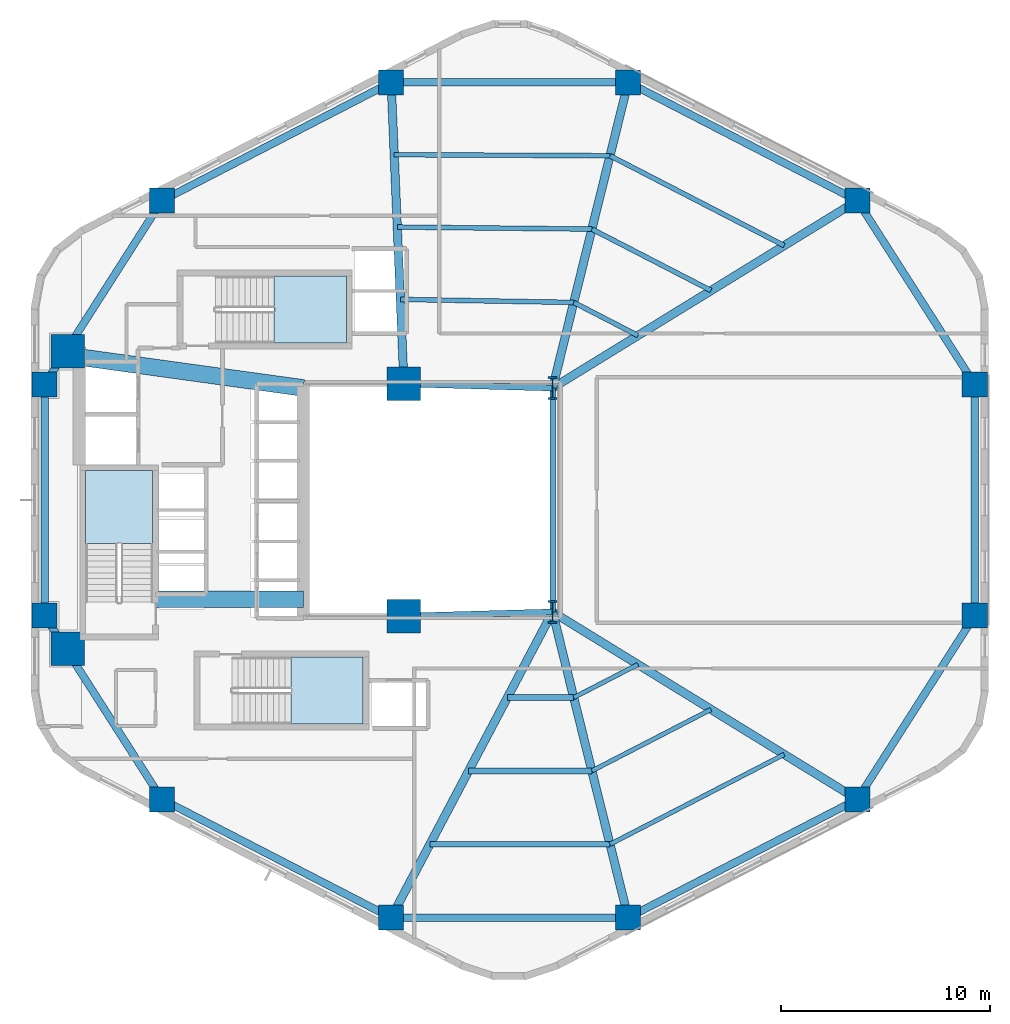
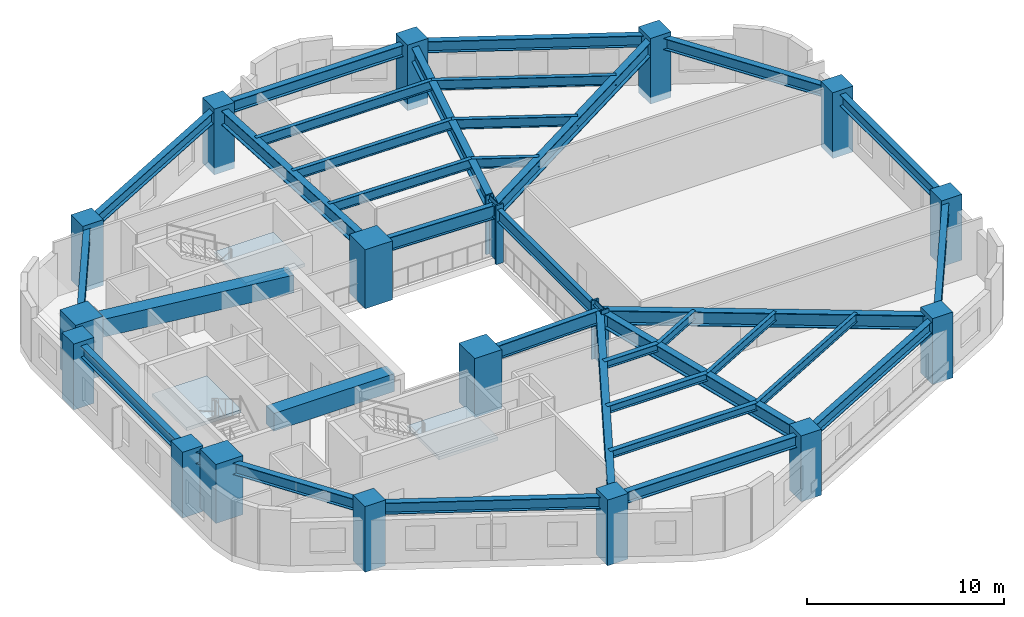
# One storey, part 1 of 7: 35 beams, 18 columns, 3 slabs, 3 elements without a shape of their own.
"""IFC4 building model written with IfcOpenShell, lengths in metres."""

from ifc_helpers import new_model, si_unit, direction, frame, origin, origin_2d, place, context, subcontext, project, spatial, polyline, rectangle, i_section, outline, extrude, material, layer, layer_set, material_profile, profile_set, type_object, element, aggregate, save


model = new_model("IFC4")

# Units and contexts
model_context = context("Model", 3, precision=1e-05, world=origin(), true_north=direction((0.0, 1.0)))
body_context = subcontext(model_context, "Body", "Model", "MODEL_VIEW")
ifc_project = project(units=[si_unit("LENGTHUNIT", "METRE"), si_unit("AREAUNIT", "SQUARE_METRE"), si_unit("VOLUMEUNIT", "CUBIC_METRE"), si_unit("PLANEANGLEUNIT", "RADIAN"), si_unit("MASSUNIT", "GRAM", prefix="KILO"), si_unit("THERMODYNAMICTEMPERATUREUNIT", "KELVIN"), si_unit("POWERUNIT", "WATT")], contexts=[model_context])

# Site, building, storey
site_placement = place(None, origin())
site = spatial("IfcSite", under=ifc_project, at=site_placement, CompositionType="ELEMENT")
building_placement = place(site_placement, origin())
building = spatial("IfcBuilding", under=site, at=building_placement, Name="Skarre Station Tower", CompositionType="ELEMENT")
storey_placement = place(building_placement, frame((0.0, 0.0, 27.0)))
storey = spatial("IfcBuildingStorey", under=building, at=storey_placement, Name="L06", CompositionType="ELEMENT", Elevation=27.0)

# Columns
ifc_material_1 = material(Name="Concrete C60/75", Category="concrete")
ifc_material_profile_1 = material_profile(ifc_material_1, rectangle(XDim=1.199951171875, YDim=1.199951171875, at=origin_2d()), Name="Concrete C60/75")
ifc_profile_set_1 = profile_set([ifc_material_profile_1], Name="Concrete C60/75")
column_type_1 = type_object("IfcColumnType", Name="RC Structural Column RC-COL-1200X1200", PredefinedType="COLUMN", material=ifc_profile_set_1)
for number, where, z_axis, x_axis, name in (
    (1, (54.007080078125, 38.298095703125, -0.419921875), (0.0, 0.0, 1.0), (1.0, 0.0, 0.0), "L06 Zone 1 Perimeter Column F0C1"),
    (2, (43.06005859375, 43.947021484375, -0.419921875), (0.0, 0.0, 1.0), (1.0, 0.0, 0.0), "L06 Zone 1 Perimeter Column F0C2"),
    (3, (31.739990234375, 43.947021484375, -0.419921875), (0.0, 0.0, 1.0), (1.0, 0.0, 0.0), "L06 Zone 1 Perimeter Column F1C1"),
    (4, (20.79296875, 38.298095703125, -0.419921875), (0.0, 0.0, 1.0), (1.0, 0.0, 0.0), "L06 Zone 1 Perimeter Column F1C2"),
    (5, (15.18701171875, 29.52099609375, -0.419921875), (0.0, 0.0, 1.0), (1.0, 0.0, 0.0), "L06 Zone 1 Perimeter Column F2C1"),
    (6, (15.18701171875, 18.47900390625, -0.419921875), (0.0, 0.0, 1.0), (1.0, 0.0, 0.0), "L06 Zone 1 Perimeter Column F2C2"),
    (7, (20.79296875, 9.701904296875, -0.419921875), (0.0, 0.0, 1.0), (1.0, 0.0, 0.0), "L06 Zone 1 Perimeter Column F3C1"),
    (8, (31.739990234375, 4.052978515625, -0.419921875), (0.0, 0.0, 1.0), (1.0, 0.0, 0.0), "L06 Zone 1 Perimeter Column F3C2"),
    (9, (43.06005859375, 4.052978515625, -0.419921875), (0.0, 0.0, 1.0), (1.0, 0.0, 0.0), "L06 Zone 1 Perimeter Column F4C1"),
    (10, (54.007080078125, 9.701904296875, -0.419921875), (0.0, 0.0, 1.0), (1.0, 0.0, 0.0), "L06 Zone 1 Perimeter Column F4C2"),
    (11, (59.613037109375, 18.47900390625, -0.419921875), (0.0, 0.0, 1.0), (1.0, 0.0, 0.0), "L06 Zone 1 Perimeter Column F5C1"),
    (12, (59.613037109375, 29.52099609375, -0.419921875), (0.0, 0.0, 1.0), (1.0, 0.0, 0.0), "L06 Zone 1 Perimeter Column F5C2"),
):
    element("IfcColumn", number, at=place(storey_placement, frame(where, z_axis=z_axis, x_axis=x_axis)), inside=storey, type_object=column_type_1, Name=name, PredefinedType="COLUMN", context=body_context, shape_type="SweptSolid", body=[
        extrude(rectangle(XDim=1.199951171875, YDim=1.199951171875, at=origin_2d()), origin(), (0.0, 0.0, 1.0), 4.06982421875),
    ])
ifc_material_2 = material(Name="Concrete C70/85", Category="concrete")
ifc_material_profile_2 = material_profile(ifc_material_2, rectangle(XDim=1.60009765625, YDim=1.60009765625, at=origin_2d()), Name="Concrete C70/85")
ifc_profile_set_2 = profile_set([ifc_material_profile_2], Name="Concrete C70/85")
column_type_2 = type_object("IfcColumnType", Name="RC Structural Column RC-COL-1600X1600", PredefinedType="COLUMN", material=ifc_profile_set_2)
for number, where, z_axis, x_axis, name in (
    (13, (16.300048828125, 16.89990234375, 0.0), (0.0, 0.0, 1.0), (1.0, 0.0, 0.0), "L06 Core Column CC-SW"),
    (14, (16.300048828125, 31.10009765625, 0.0), (0.0, 0.0, 1.0), (1.0, 0.0, 0.0), "L06 Core Column CC-NW"),
    (15, (32.35009765625, 18.449951171875, 0.0), (0.0, 0.0, 1.0), (1.0, 0.0, 0.0), "L06 Core Column CC-SE"),
    (16, (32.35009765625, 29.550048828125, 0.0), (0.0, 0.0, 1.0), (1.0, 0.0, 0.0), "L06 Core Column CC-NE"),
):
    element("IfcColumn", number, at=place(storey_placement, frame(where, z_axis=z_axis, x_axis=x_axis)), inside=storey, type_object=column_type_2, Name=name, PredefinedType="COLUMN", context=body_context, shape_type="SweptSolid", body=[
        extrude(rectangle(XDim=1.60009765625, YDim=1.60009765625, at=origin_2d()), origin(), (0.0, 0.0, 1.0), 3.64990234375),
    ])
ifc_material_3 = material(Name="Steel ASTM A913 Grade 65", Category="steel")
ifc_material_profile_3 = material_profile(ifc_material_3, i_section(OverallWidth=0.424072265625, OverallDepth=1.092041015625, WebThickness=0.044921875, FlangeThickness=0.08203125, at=origin_2d()), Name="Steel ASTM A913 Grade 65")
ifc_profile_set_3 = profile_set([ifc_material_profile_3], Name="Steel ASTM A913 Grade 65")
column_type_3 = type_object("IfcColumnType", Name="Steel Column W40X593", PredefinedType="COLUMN", material=ifc_profile_set_3)
for number, where, z_axis, x_axis, name in (
    (17, (39.449951171875, 18.64990234375, 0.0), (0.0, 0.0, 1.0), (1.0, 0.0, 0.0), "L06 Atrium Spine Column AC-SE"),
    (18, (39.449951171875, 29.35009765625, 0.0), (0.0, 0.0, 1.0), (1.0, 0.0, 0.0), "L06 Atrium Spine Column AC-NE"),
):
    element("IfcColumn", number, at=place(storey_placement, frame(where, z_axis=z_axis, x_axis=x_axis)), inside=storey, type_object=column_type_3, Name=name, PredefinedType="COLUMN", context=body_context, shape_type="SweptSolid", body=[
        extrude(i_section(OverallWidth=0.424072265625, OverallDepth=1.092041015625, WebThickness=0.044921875, FlangeThickness=0.08203125, at=origin_2d()), origin(), (0.0, 0.0, 1.0), 3.64990234375),
    ])

# Beams
ifc_material_profile_4 = material_profile(ifc_material_2, rectangle(XDim=0.800048828125, YDim=1.10009765625, at=origin_2d()), Name="Concrete C70/85")
ifc_profile_set_4 = profile_set([ifc_material_profile_4], Name="Concrete C70/85")
beam_type_1 = type_object("IfcBeamType", Name="RC Core Coupling Lintel 800x1100", PredefinedType="LINTEL", material=ifc_profile_set_4)
beam_1_placement = place(storey_placement, frame((20.489990234375, 19.260009765625, 2.840087890625), z_axis=(1.0, 0.0, 0.0), x_axis=(0.0, 1.0, 0.0)))
element("IfcBeam", 19, at=beam_1_placement, inside=storey, type_object=beam_type_1, Name="L06 South Core Coupling Lintel", PredefinedType="LINTEL", context=body_context, shape_type="SweptSolid", body=[
    extrude(rectangle(XDim=0.800048828125, YDim=1.10009765625, at=origin_2d()), origin(), (0.0, 0.0, 1.0), 7.06005859375),
])
beam_2_placement = place(storey_placement, frame((17.050048828125, 30.800048828125, 2.840087890625), z_axis=(0.990599723633, -0.136792498109, 0.0), x_axis=(0.136792498109, 0.990599723633, 0.0)))
element("IfcBeam", 20, at=beam_2_placement, inside=storey, type_object=beam_type_1, Name="L06 North Core Coupling Lintel", PredefinedType="LINTEL", context=body_context, shape_type="SweptSolid", body=[
    extrude(rectangle(XDim=0.800048828125, YDim=1.10009765625, at=origin_2d()), origin(), (0.0, 0.0, 1.0), 10.599609375),
])
ifc_material_4 = material(Name="Steel ASTM A992 Grade 50", Category="steel")
ifc_material_profile_5 = material_profile(ifc_material_4, i_section(OverallWidth=0.26806640625, OverallDepth=0.77001953125, WebThickness=0.01611328125, FlangeThickness=0.02490234375, at=origin_2d()), Name="Steel ASTM A992 Grade 50")
ifc_profile_set_5 = profile_set([ifc_material_profile_5], Name="Steel ASTM A992 Grade 50")
beam_type_2 = type_object("IfcBeamType", Name="Steel Beam W30X132", PredefinedType="BEAM", material=ifc_profile_set_5)
beam_3_placement = place(storey_placement, frame((39.449951171875, 18.64990234375, 3.0048828125), z_axis=(0.0, 1.0, 0.0), x_axis=(-1.0, 0.0, 0.0)))
element("IfcBeam", 21, at=beam_3_placement, inside=storey, type_object=beam_type_2, Name="L06 Atrium East Edge Girder", PredefinedType="BEAM", context=body_context, shape_type="SweptSolid", body=[
    extrude(i_section(OverallWidth=0.26806640625, OverallDepth=0.77001953125, WebThickness=0.01611328125, FlangeThickness=0.02490234375, at=origin_2d()), origin(), (0.0, 0.0, 1.0), 10.7001953125),
])
ifc_material_profile_6 = material_profile(ifc_material_4, i_section(OverallWidth=0.2919921875, OverallDepth=0.85888671875, WebThickness=0.01708984375, FlangeThickness=0.031005859375, at=origin_2d()), Name="Steel ASTM A992 Grade 50")
ifc_profile_set_6 = profile_set([ifc_material_profile_6], Name="Steel ASTM A992 Grade 50")
beam_type_3 = type_object("IfcBeamType", Name="Steel Beam W33X169", PredefinedType="BEAM", material=ifc_profile_set_6)
for number, where, z_axis, x_axis, name in (
    (22, (32.35009765625, 18.449951171875, 2.9599609375), (0.999603666405, 0.028151556095, 0.0), (-0.028151556095, 0.999603666405, 0.0), "L06 Atrium South Edge Girder"),
    (23, (32.35009765625, 29.550048828125, 2.9599609375), (0.999603666405, -0.028151556095, 0.0), (0.028151556095, 0.999603666405, 0.0), "L06 Atrium North Edge Girder"),
):
    element("IfcBeam", number, at=place(storey_placement, frame(where, z_axis=z_axis, x_axis=x_axis)), inside=storey, type_object=beam_type_3, Name=name, PredefinedType="BEAM", context=body_context, shape_type="SweptSolid", body=[
        extrude(i_section(OverallWidth=0.2919921875, OverallDepth=0.85888671875, WebThickness=0.01708984375, FlangeThickness=0.031005859375, at=origin_2d()), origin(), (0.0, 0.0, 1.0), 7.102783203125),
    ])
ifc_material_profile_7 = material_profile(ifc_material_4, i_section(OverallWidth=0.40087890625, OverallDepth=0.876953125, WebThickness=0.02197265625, FlangeThickness=0.0400390625, at=origin_2d()), Name="Steel ASTM A992 Grade 50")
ifc_profile_set_7 = profile_set([ifc_material_profile_7], Name="Steel ASTM A992 Grade 50")
beam_type_4 = type_object("IfcBeamType", Name="Steel Beam W33X263", PredefinedType="BEAM", material=ifc_profile_set_7)
beam_4_placement = place(storey_placement, frame((39.449951171875, 29.35009765625, 2.950927734375), z_axis=(0.851925565957, 0.523662897358, 0.0), x_axis=(-0.523662897358, 0.851925565957, 0.0)))
element("IfcBeam", 24, at=beam_4_placement, inside=storey, type_object=beam_type_4, Name="L06 Radial Floor Girder F0C1", PredefinedType="BEAM", context=body_context, shape_type="SweptSolid", body=[
    extrude(i_section(OverallWidth=0.40087890625, OverallDepth=0.876953125, WebThickness=0.02197265625, FlangeThickness=0.0400390625, at=origin_2d()), origin(), (0.0, 0.0, 1.0), 17.08740234375),
])
beam_5_placement = place(storey_placement, frame((39.449951171875, 29.35009765625, 2.950927734375), z_axis=(0.240086037639, 0.9707516132, 0.0), x_axis=(-0.9707516132, 0.240086037639, 0.0)))
element("IfcBeam", 25, at=beam_5_placement, inside=storey, type_object=beam_type_4, Name="L06 Radial Floor Girder F0C2", PredefinedType="BEAM", context=body_context, shape_type="SweptSolid", body=[
    extrude(i_section(OverallWidth=0.40087890625, OverallDepth=0.876953125, WebThickness=0.02197265625, FlangeThickness=0.0400390625, at=origin_2d()), origin(), (0.0, 0.0, 1.0), 15.03662109375),
])
beam_6_placement = place(storey_placement, frame((32.35009765625, 29.550048828125, 2.950927734375), z_axis=(-0.042339479433, 0.999103282189, 0.0), x_axis=(-0.999103282189, -0.042339479433, 0.0)))
element("IfcBeam", 26, at=beam_6_placement, inside=storey, type_object=beam_type_4, Name="L06 Radial Floor Girder F1C1", PredefinedType="BEAM", context=body_context, shape_type="SweptSolid", body=[
    extrude(i_section(OverallWidth=0.40087890625, OverallDepth=0.876953125, WebThickness=0.02197265625, FlangeThickness=0.0400390625, at=origin_2d()), origin(), (0.0, 0.0, 1.0), 14.409912109375),
])
beam_7_placement = place(storey_placement, frame((39.449951171875, 18.64990234375, 2.950927734375), z_axis=(-0.467044240884, -0.884233949279, 0.0), x_axis=(0.884233949279, -0.467044240884, 0.0)))
element("IfcBeam", 27, at=beam_7_placement, inside=storey, type_object=beam_type_4, Name="L06 Radial Floor Girder F3C2", PredefinedType="BEAM", context=body_context, shape_type="SweptSolid", body=[
    extrude(i_section(OverallWidth=0.40087890625, OverallDepth=0.876953125, WebThickness=0.02197265625, FlangeThickness=0.0400390625, at=origin_2d()), origin(), (0.0, 0.0, 1.0), 16.508056640625),
])
beam_8_placement = place(storey_placement, frame((39.449951171875, 18.64990234375, 2.950927734375), z_axis=(0.240086037639, -0.9707516132, 0.0), x_axis=(0.9707516132, 0.240086037639, 0.0)))
element("IfcBeam", 28, at=beam_8_placement, inside=storey, type_object=beam_type_4, Name="L06 Radial Floor Girder F4C1", PredefinedType="BEAM", context=body_context, shape_type="SweptSolid", body=[
    extrude(i_section(OverallWidth=0.40087890625, OverallDepth=0.876953125, WebThickness=0.02197265625, FlangeThickness=0.0400390625, at=origin_2d()), origin(), (0.0, 0.0, 1.0), 15.03662109375),
])
beam_9_placement = place(storey_placement, frame((39.449951171875, 18.64990234375, 2.950927734375), z_axis=(0.851925565957, -0.523662897358, 0.0), x_axis=(0.523662897358, 0.851925565957, 0.0)))
element("IfcBeam", 29, at=beam_9_placement, inside=storey, type_object=beam_type_4, Name="L06 Radial Floor Girder F4C2", PredefinedType="BEAM", context=body_context, shape_type="SweptSolid", body=[
    extrude(i_section(OverallWidth=0.40087890625, OverallDepth=0.876953125, WebThickness=0.02197265625, FlangeThickness=0.0400390625, at=origin_2d()), origin(), (0.0, 0.0, 1.0), 17.08740234375),
])
ifc_material_profile_8 = material_profile(ifc_material_4, i_section(OverallWidth=0.280029296875, OverallDepth=0.462890625, WebThickness=0.010986328125, FlangeThickness=0.01708984375, at=origin_2d()), Name="Steel ASTM A992 Grade 50")
ifc_profile_set_8 = profile_set([ifc_material_profile_8], Name="Steel ASTM A992 Grade 50")
beam_type_5 = type_object("IfcBeamType", Name="Steel Joist W18X76", PredefinedType="JOIST", material=ifc_profile_set_8)
beam_10_placement = place(storey_placement, frame((37.291015625, 14.56298828125, 3.158935546875), z_axis=(1.0, 0.0, 0.0), x_axis=(0.0, 1.0, 0.0)))
element("IfcBeam", 30, at=beam_10_placement, inside=storey, type_object=beam_type_5, Name="L06 Auxiliary Composite Joist 7", PredefinedType="JOIST", context=body_context, shape_type="SweptSolid", body=[
    extrude(i_section(OverallWidth=0.280029296875, OverallDepth=0.462890625, WebThickness=0.010986328125, FlangeThickness=0.01708984375, at=origin_2d()), origin(), (0.0, 0.0, 1.0), 3.169921875),
])
beam_11_placement = place(storey_placement, frame((35.44091796875, 11.06005859375, 3.158935546875), z_axis=(1.0, 0.0, 0.0), x_axis=(0.0, 1.0, 0.0)))
element("IfcBeam", 31, at=beam_11_placement, inside=storey, type_object=beam_type_5, Name="L06 Auxiliary Composite Joist 8", PredefinedType="JOIST", context=body_context, shape_type="SweptSolid", body=[
    extrude(i_section(OverallWidth=0.280029296875, OverallDepth=0.462890625, WebThickness=0.010986328125, FlangeThickness=0.01708984375, at=origin_2d()), origin(), (0.0, 0.0, 1.0), 5.885986328125),
])
beam_12_placement = place(storey_placement, frame((33.590087890625, 7.555908203125, 3.158935546875), z_axis=(1.0, 0.0, 0.0), x_axis=(0.0, 1.0, 0.0)))
element("IfcBeam", 32, at=beam_12_placement, inside=storey, type_object=beam_type_5, Name="L06 Auxiliary Composite Joist 9", PredefinedType="JOIST", context=body_context, shape_type="SweptSolid", body=[
    extrude(i_section(OverallWidth=0.280029296875, OverallDepth=0.462890625, WebThickness=0.010986328125, FlangeThickness=0.01708984375, at=origin_2d()), origin(), (0.0, 0.0, 1.0), 8.60400390625),
])
ifc_material_profile_9 = material_profile(ifc_material_4, i_section(OverallWidth=0.208984375, OverallDepth=0.532958984375, WebThickness=0.010009765625, FlangeThickness=0.01611328125, at=origin_2d()), Name="Steel ASTM A992 Grade 50")
ifc_profile_set_9 = profile_set([ifc_material_profile_9], Name="Steel ASTM A992 Grade 50")
beam_type_6 = type_object("IfcBeamType", Name="Steel Joist W21X62", PredefinedType="JOIST", material=ifc_profile_set_9)
beam_13_placement = place(storey_placement, frame((40.4609375, 14.56298828125, 3.123046875), z_axis=(0.888605767214, 0.458671767687, 0.0), x_axis=(-0.458671767687, 0.888605767214, 0.0)))
element("IfcBeam", 33, at=beam_13_placement, inside=storey, type_object=beam_type_6, Name="L06 Auxiliary Composite Joist 10", PredefinedType="JOIST", context=body_context, shape_type="SweptSolid", body=[
    extrude(i_section(OverallWidth=0.208984375, OverallDepth=0.532958984375, WebThickness=0.010009765625, FlangeThickness=0.01611328125, at=origin_2d()), origin(), (0.0, 0.0, 1.0), 3.44921875),
])
beam_14_placement = place(storey_placement, frame((41.326904296875, 11.06005859375, 3.123046875), z_axis=(0.888707823182, 0.458473996007, 0.0), x_axis=(-0.458473996007, 0.888707823182, 0.0)))
element("IfcBeam", 34, at=beam_14_placement, inside=storey, type_object=beam_type_6, Name="L06 Auxiliary Composite Joist 11", PredefinedType="JOIST", context=body_context, shape_type="SweptSolid", body=[
    extrude(i_section(OverallWidth=0.208984375, OverallDepth=0.532958984375, WebThickness=0.010009765625, FlangeThickness=0.01611328125, at=origin_2d()), origin(), (0.0, 0.0, 1.0), 6.406005859375),
])
beam_15_placement = place(storey_placement, frame((42.194091796875, 7.555908203125, 3.123046875), z_axis=(0.888594941555, 0.458692740125, 0.0), x_axis=(-0.458692740125, 0.888594941555, 0.0)))
element("IfcBeam", 35, at=beam_15_placement, inside=storey, type_object=beam_type_6, Name="L06 Auxiliary Composite Joist 12", PredefinedType="JOIST", context=body_context, shape_type="SweptSolid", body=[
    extrude(i_section(OverallWidth=0.208984375, OverallDepth=0.532958984375, WebThickness=0.010009765625, FlangeThickness=0.01611328125, at=origin_2d()), origin(), (0.0, 0.0, 1.0), 9.36181640625),
])
ifc_material_profile_10 = material_profile(ifc_material_4, i_section(OverallWidth=0.22802734375, OverallDepth=0.60791015625, WebThickness=0.010986328125, FlangeThickness=0.01708984375, at=origin_2d()), Name="Steel ASTM A992 Grade 50")
ifc_profile_set_10 = profile_set([ifc_material_profile_10], Name="Steel ASTM A992 Grade 50")
beam_type_7 = type_object("IfcBeamType", Name="Steel Joist W24X76", PredefinedType="JOIST", material=ifc_profile_set_10)
beam_16_placement = place(storey_placement, frame((43.52587890625, 31.85498046875, 3.0859375), z_axis=(-0.888605767214, 0.458671767687, 0.0), x_axis=(-0.458671767687, -0.888605767214, 0.0)))
element("IfcBeam", 36, at=beam_16_placement, inside=storey, type_object=beam_type_7, Name="L06 Secondary Floor Joist 1", PredefinedType="JOIST", context=body_context, shape_type="SweptSolid", body=[
    extrude(i_section(OverallWidth=0.22802734375, OverallDepth=0.60791015625, WebThickness=0.010986328125, FlangeThickness=0.01708984375, at=origin_2d()), origin(), (0.0, 0.0, 1.0), 3.44921875),
])
beam_17_placement = place(storey_placement, frame((47.02001953125, 34.0029296875, 3.0859375), z_axis=(-0.888707823182, 0.458473996007, 0.0), x_axis=(-0.458473996007, -0.888707823182, 0.0)))
element("IfcBeam", 37, at=beam_17_placement, inside=storey, type_object=beam_type_7, Name="L06 Secondary Floor Joist 2", PredefinedType="JOIST", context=body_context, shape_type="SweptSolid", body=[
    extrude(i_section(OverallWidth=0.22802734375, OverallDepth=0.60791015625, WebThickness=0.010986328125, FlangeThickness=0.01708984375, at=origin_2d()), origin(), (0.0, 0.0, 1.0), 6.406005859375),
])
beam_18_placement = place(storey_placement, frame((50.512939453125, 36.14990234375, 3.0859375), z_axis=(-0.888594941555, 0.458692740125, 0.0), x_axis=(-0.458692740125, -0.888594941555, 0.0)))
element("IfcBeam", 38, at=beam_18_placement, inside=storey, type_object=beam_type_7, Name="L06 Secondary Floor Joist 3", PredefinedType="JOIST", context=body_context, shape_type="SweptSolid", body=[
    extrude(i_section(OverallWidth=0.22802734375, OverallDepth=0.60791015625, WebThickness=0.010986328125, FlangeThickness=0.01708984375, at=origin_2d()), origin(), (0.0, 0.0, 1.0), 9.36181640625),
])
beam_19_placement = place(storey_placement, frame((40.4609375, 33.43701171875, 3.0859375), z_axis=(-0.999848787739, 0.017389699754, 0.0), x_axis=(-0.017389699754, -0.999848787739, 0.0)))
element("IfcBeam", 39, at=beam_19_placement, inside=storey, type_object=beam_type_7, Name="L06 Secondary Floor Joist 4", PredefinedType="JOIST", context=body_context, shape_type="SweptSolid", body=[
    extrude(i_section(OverallWidth=0.22802734375, OverallDepth=0.60791015625, WebThickness=0.010986328125, FlangeThickness=0.01708984375, at=origin_2d()), origin(), (0.0, 0.0, 1.0), 8.283203125),
])
beam_20_placement = place(storey_placement, frame((41.326904296875, 36.93994140625, 3.0859375), z_axis=(-0.999946715577, 0.010323081308, 0.0), x_axis=(-0.010323081308, -0.999946715577, 0.0)))
element("IfcBeam", 40, at=beam_20_placement, inside=storey, type_object=beam_type_7, Name="L06 Secondary Floor Joist 5", PredefinedType="JOIST", context=body_context, shape_type="SweptSolid", body=[
    extrude(i_section(OverallWidth=0.22802734375, OverallDepth=0.60791015625, WebThickness=0.010986328125, FlangeThickness=0.01708984375, at=origin_2d()), origin(), (0.0, 0.0, 1.0), 9.29443359375),
])
beam_21_placement = place(storey_placement, frame((42.194091796875, 40.444091796875, 3.0859375), z_axis=(-0.99998922549, 0.004642079679, 0.0), x_axis=(-0.004642079679, -0.99998922549, 0.0)))
element("IfcBeam", 41, at=beam_21_placement, inside=storey, type_object=beam_type_7, Name="L06 Secondary Floor Joist 6", PredefinedType="JOIST", context=body_context, shape_type="SweptSolid", body=[
    extrude(i_section(OverallWidth=0.22802734375, OverallDepth=0.60791015625, WebThickness=0.010986328125, FlangeThickness=0.01708984375, at=origin_2d()), origin(), (0.0, 0.0, 1.0), 10.30810546875),
])
ifc_material_profile_11 = material_profile(ifc_material_4, i_section(OverallWidth=0.35791015625, OverallDepth=0.7060546875, WebThickness=0.01806640625, FlangeThickness=0.030029296875, at=origin_2d()), Name="Steel ASTM A992 Grade 50")
ifc_profile_set_11 = profile_set([ifc_material_profile_11], Name="Steel ASTM A992 Grade 50")
beam_type_8 = type_object("IfcBeamType", Name="Steel Spandrel W27X178", PredefinedType="SPANDREL", material=ifc_profile_set_11)
beam_22_placement = place(storey_placement, frame((54.007080078125, 38.298095703125, 3.037109375), z_axis=(-0.888658695823, 0.458569212158, 0.0), x_axis=(-0.458569212158, -0.888658695823, 0.0)))
element("IfcBeam", 42, at=beam_22_placement, inside=storey, type_object=beam_type_8, Name="L06 Facet Spandrel Beam 1", PredefinedType="SPANDREL", context=body_context, shape_type="SweptSolid", body=[
    extrude(i_section(OverallWidth=0.35791015625, OverallDepth=0.7060546875, WebThickness=0.01806640625, FlangeThickness=0.030029296875, at=origin_2d()), origin(), (0.0, 0.0, 1.0), 12.318603515625),
])
beam_23_placement = place(storey_placement, frame((43.06005859375, 43.947021484375, 3.037109375), z_axis=(-1.0, 0.0, 0.0), x_axis=(0.0, -1.0, 0.0)))
element("IfcBeam", 43, at=beam_23_placement, inside=storey, type_object=beam_type_8, Name="L06 Facet Spandrel Beam 2", PredefinedType="SPANDREL", context=body_context, shape_type="SweptSolid", body=[
    extrude(i_section(OverallWidth=0.35791015625, OverallDepth=0.7060546875, WebThickness=0.01806640625, FlangeThickness=0.030029296875, at=origin_2d()), origin(), (0.0, 0.0, 1.0), 11.320068359375),
])
beam_24_placement = place(storey_placement, frame((31.739990234375, 43.947021484375, 3.037109375), z_axis=(-0.888658695823, -0.458569212158, 0.0), x_axis=(0.458569212158, -0.888658695823, 0.0)))
element("IfcBeam", 44, at=beam_24_placement, inside=storey, type_object=beam_type_8, Name="L06 Facet Spandrel Beam 3", PredefinedType="SPANDREL", context=body_context, shape_type="SweptSolid", body=[
    extrude(i_section(OverallWidth=0.35791015625, OverallDepth=0.7060546875, WebThickness=0.01806640625, FlangeThickness=0.030029296875, at=origin_2d()), origin(), (0.0, 0.0, 1.0), 12.318603515625),
])
beam_25_placement = place(storey_placement, frame((20.79296875, 38.298095703125, 3.037109375), z_axis=(-0.538277829225, -0.842767452246, 0.0), x_axis=(0.842767452246, -0.538277829225, 0.0)))
element("IfcBeam", 45, at=beam_25_placement, inside=storey, type_object=beam_type_8, Name="L06 Facet Spandrel Beam 4", PredefinedType="SPANDREL", context=body_context, shape_type="SweptSolid", body=[
    extrude(i_section(OverallWidth=0.35791015625, OverallDepth=0.7060546875, WebThickness=0.01806640625, FlangeThickness=0.030029296875, at=origin_2d()), origin(), (0.0, 0.0, 1.0), 10.41455078125),
])
beam_26_placement = place(storey_placement, frame((15.18701171875, 29.52099609375, 3.037109375), z_axis=(0.0, -1.0, 0.0), x_axis=(1.0, 0.0, 0.0)))
element("IfcBeam", 46, at=beam_26_placement, inside=storey, type_object=beam_type_8, Name="L06 Facet Spandrel Beam 5", PredefinedType="SPANDREL", context=body_context, shape_type="SweptSolid", body=[
    extrude(i_section(OverallWidth=0.35791015625, OverallDepth=0.7060546875, WebThickness=0.01806640625, FlangeThickness=0.030029296875, at=origin_2d()), origin(), (0.0, 0.0, 1.0), 11.0419921875),
])
beam_27_placement = place(storey_placement, frame((15.18701171875, 18.47900390625, 3.037109375), z_axis=(0.538277829225, -0.842767452246, 0.0), x_axis=(0.842767452246, 0.538277829225, 0.0)))
element("IfcBeam", 47, at=beam_27_placement, inside=storey, type_object=beam_type_8, Name="L06 Facet Spandrel Beam 6", PredefinedType="SPANDREL", context=body_context, shape_type="SweptSolid", body=[
    extrude(i_section(OverallWidth=0.35791015625, OverallDepth=0.7060546875, WebThickness=0.01806640625, FlangeThickness=0.030029296875, at=origin_2d()), origin(), (0.0, 0.0, 1.0), 10.41455078125),
])
beam_28_placement = place(storey_placement, frame((20.79296875, 9.701904296875, 3.037109375), z_axis=(0.888658695823, -0.458569212158, 0.0), x_axis=(0.458569212158, 0.888658695823, 0.0)))
element("IfcBeam", 48, at=beam_28_placement, inside=storey, type_object=beam_type_8, Name="L06 Facet Spandrel Beam 7", PredefinedType="SPANDREL", context=body_context, shape_type="SweptSolid", body=[
    extrude(i_section(OverallWidth=0.35791015625, OverallDepth=0.7060546875, WebThickness=0.01806640625, FlangeThickness=0.030029296875, at=origin_2d()), origin(), (0.0, 0.0, 1.0), 12.318603515625),
])
beam_29_placement = place(storey_placement, frame((31.739990234375, 4.052978515625, 3.037109375), z_axis=(1.0, 0.0, 0.0), x_axis=(0.0, 1.0, 0.0)))
element("IfcBeam", 49, at=beam_29_placement, inside=storey, type_object=beam_type_8, Name="L06 Facet Spandrel Beam 8", PredefinedType="SPANDREL", context=body_context, shape_type="SweptSolid", body=[
    extrude(i_section(OverallWidth=0.35791015625, OverallDepth=0.7060546875, WebThickness=0.01806640625, FlangeThickness=0.030029296875, at=origin_2d()), origin(), (0.0, 0.0, 1.0), 11.320068359375),
])
beam_30_placement = place(storey_placement, frame((43.06005859375, 4.052978515625, 3.037109375), z_axis=(0.888658695823, 0.458569212158, 0.0), x_axis=(-0.458569212158, 0.888658695823, 0.0)))
element("IfcBeam", 50, at=beam_30_placement, inside=storey, type_object=beam_type_8, Name="L06 Facet Spandrel Beam 9", PredefinedType="SPANDREL", context=body_context, shape_type="SweptSolid", body=[
    extrude(i_section(OverallWidth=0.35791015625, OverallDepth=0.7060546875, WebThickness=0.01806640625, FlangeThickness=0.030029296875, at=origin_2d()), origin(), (0.0, 0.0, 1.0), 12.318603515625),
])
beam_31_placement = place(storey_placement, frame((54.007080078125, 9.701904296875, 3.037109375), z_axis=(0.538277829225, 0.842767452246, 0.0), x_axis=(-0.842767452246, 0.538277829225, 0.0)))
element("IfcBeam", 51, at=beam_31_placement, inside=storey, type_object=beam_type_8, Name="L06 Facet Spandrel Beam 10", PredefinedType="SPANDREL", context=body_context, shape_type="SweptSolid", body=[
    extrude(i_section(OverallWidth=0.35791015625, OverallDepth=0.7060546875, WebThickness=0.01806640625, FlangeThickness=0.030029296875, at=origin_2d()), origin(), (0.0, 0.0, 1.0), 10.41455078125),
])
beam_32_placement = place(storey_placement, frame((59.613037109375, 18.47900390625, 3.037109375), z_axis=(0.0, 1.0, 0.0), x_axis=(-1.0, 0.0, 0.0)))
element("IfcBeam", 52, at=beam_32_placement, inside=storey, type_object=beam_type_8, Name="L06 Facet Spandrel Beam 11", PredefinedType="SPANDREL", context=body_context, shape_type="SweptSolid", body=[
    extrude(i_section(OverallWidth=0.35791015625, OverallDepth=0.7060546875, WebThickness=0.01806640625, FlangeThickness=0.030029296875, at=origin_2d()), origin(), (0.0, 0.0, 1.0), 11.0419921875),
])
beam_33_placement = place(storey_placement, frame((59.613037109375, 29.52099609375, 3.037109375), z_axis=(-0.538277829225, 0.842767452246, 0.0), x_axis=(-0.842767452246, -0.538277829225, 0.0)))
element("IfcBeam", 53, at=beam_33_placement, inside=storey, type_object=beam_type_8, Name="L06 Facet Spandrel Beam 12", PredefinedType="SPANDREL", context=body_context, shape_type="SweptSolid", body=[
    extrude(i_section(OverallWidth=0.35791015625, OverallDepth=0.7060546875, WebThickness=0.01806640625, FlangeThickness=0.030029296875, at=origin_2d()), origin(), (0.0, 0.0, 1.0), 10.41455078125),
])

# Stair, slab
ifc_material_5 = material(Name="Concrete C40/50", Category="concrete")
stair_type_1 = type_object("IfcStairType", Name="Reinforced Concrete Exit Stair ST-1", PredefinedType="HALF_TURN_STAIR", material=ifc_material_5)
stair_1_placement = place(storey_placement, origin())
stair_1 = element("IfcStair", 54, at=stair_1_placement, inside=storey, type_object=stair_type_1, Name="L06 Core Exit Stair ST-1", PredefinedType="HALF_TURN_STAIR")
ifc_layer = layer(ifc_material_5, 0.219970703125, Name="Concrete C40/50")
ifc_layer_set = layer_set([ifc_layer], Name="Concrete C40/50")
slab_type = type_object("IfcSlabType", Name="Reinforced Concrete Stair & Ramp Landing 220", PredefinedType="LANDING", material=ifc_layer_set)
slab_1_placement = place(storey_placement, frame((0.0, 0.0, 1.625)))
slab_1 = element("IfcSlab", 55, at=slab_1_placement, type_object=slab_type, Name="ST-1 landing 1", PredefinedType="LANDING", context=body_context, shape_type="SweptSolid", body=[
    extrude(outline(polyline([(20.35009765625, 21.919921875), (20.35009765625, 25.39990234375), (17.14990234375, 25.39990234375), (17.14990234375, 21.919921875), (20.35009765625, 21.919921875)])), origin(), (0.0, 0.0, 1.0), 0.199951171875),
])
aggregate(stair_1, [slab_1])

stair_type_2 = type_object("IfcStairType", Name="Reinforced Concrete Exit Stair ST-2", PredefinedType="HALF_TURN_STAIR", material=ifc_material_5)
stair_2_placement = place(storey_placement, origin())
stair_2 = element("IfcStair", 56, at=stair_2_placement, inside=storey, type_object=stair_type_2, Name="L06 Core Exit Stair ST-2", PredefinedType="HALF_TURN_STAIR")
slab_2_placement = place(storey_placement, frame((0.0, 0.0, 1.625)))
slab_2 = element("IfcSlab", 57, at=slab_2_placement, type_object=slab_type, Name="ST-2 landing 1", PredefinedType="LANDING", context=body_context, shape_type="SweptSolid", body=[
    extrude(outline(polyline([(26.949951171875, 13.300048828125), (30.39990234375, 13.300048828125), (30.39990234375, 16.5), (26.949951171875, 16.5), (26.949951171875, 13.300048828125)])), origin(), (0.0, 0.0, 1.0), 0.199951171875),
])
aggregate(stair_2, [slab_2])

stair_type_3 = type_object("IfcStairType", Name="Reinforced Concrete Exit Stair ST-3", PredefinedType="HALF_TURN_STAIR", material=ifc_material_5)
stair_3_placement = place(storey_placement, origin())
stair_3 = element("IfcStair", 58, at=stair_3_placement, inside=storey, type_object=stair_type_3, Name="L06 Core Exit Stair ST-3", PredefinedType="HALF_TURN_STAIR")
slab_3_placement = place(storey_placement, frame((0.0, 0.0, 1.625)))
slab_3 = element("IfcSlab", 59, at=slab_3_placement, type_object=slab_type, Name="ST-3 landing 1", PredefinedType="LANDING", context=body_context, shape_type="SweptSolid", body=[
    extrude(outline(polyline([(26.14990234375, 31.5), (29.60009765625, 31.5), (29.60009765625, 34.699951171875), (26.14990234375, 34.699951171875), (26.14990234375, 31.5)])), origin(), (0.0, 0.0, 1.0), 0.199951171875),
])
aggregate(stair_3, [slab_3])

save(model, "model.ifc")
